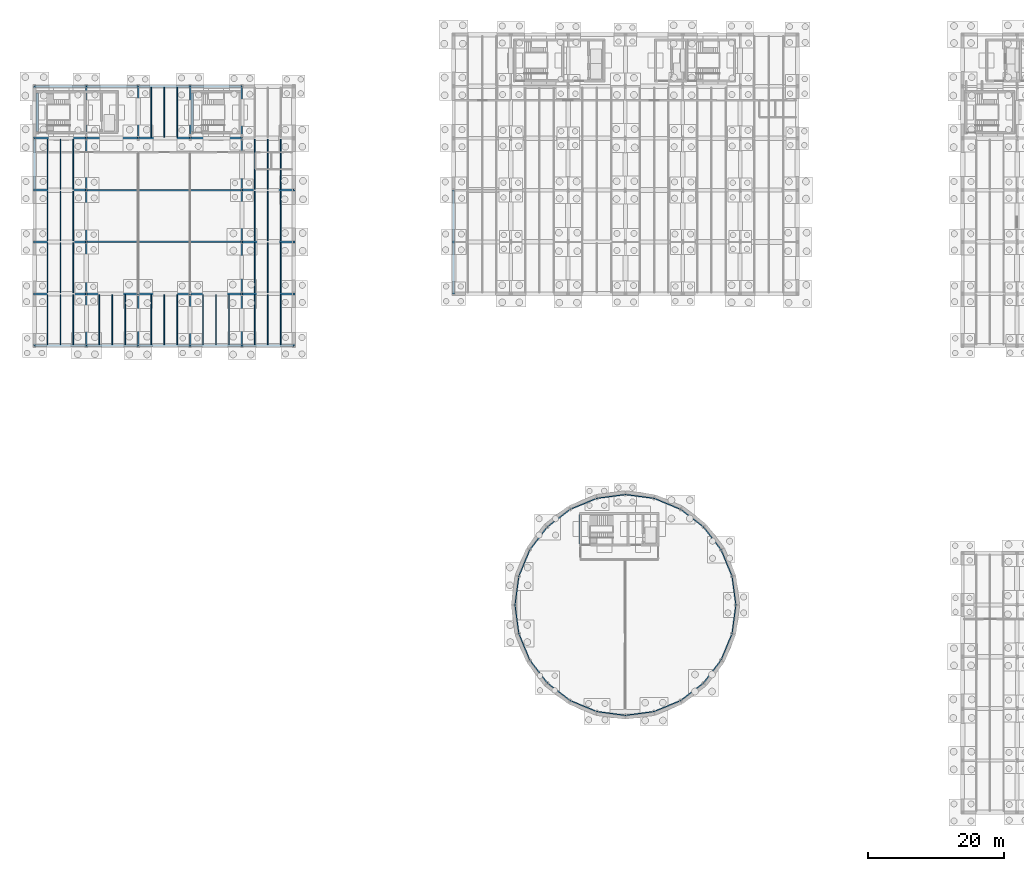
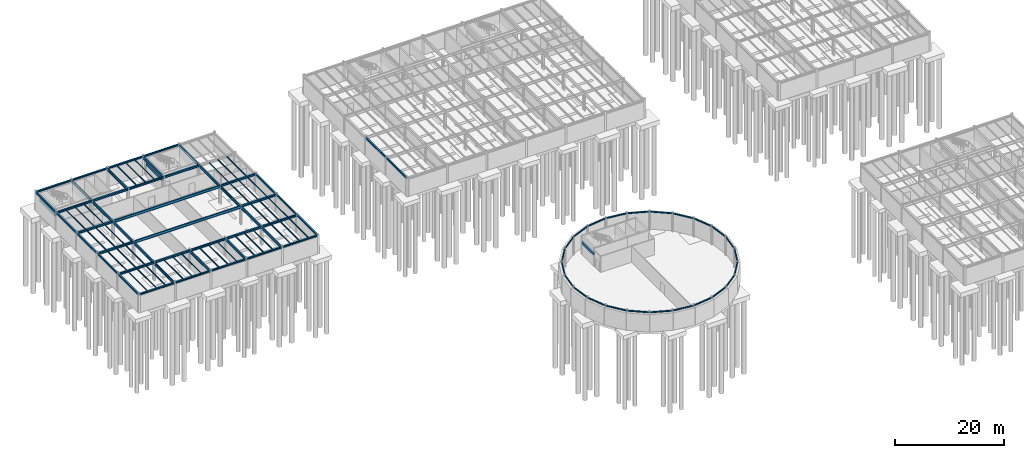
# One storey, part 19 of 33: 111 beams.
"""IFC4 building model written with IfcOpenShell, lengths in metres."""

from ifc_helpers import new_model, si_unit, direction, frame, origin, origin_2d, place, context, subcontext, project, spatial, rectangle, i_section, extrude, material, material_profile, profile_set, type_object, element, save


model = new_model("IFC4")

# Units and contexts
model_context = context("Model", 3, precision=1e-05, world=origin(), true_north=direction((0.0, 1.0)))
body_context = subcontext(model_context, "Body", "Model", "MODEL_VIEW")
ifc_project = project(units=[si_unit("LENGTHUNIT", "METRE"), si_unit("AREAUNIT", "SQUARE_METRE"), si_unit("VOLUMEUNIT", "CUBIC_METRE"), si_unit("PLANEANGLEUNIT", "RADIAN"), si_unit("MASSUNIT", "GRAM", prefix="KILO")], contexts=[model_context])

# Site, building, storey
site_placement = place(None, origin())
site = spatial("IfcSite", under=ifc_project, at=site_placement, CompositionType="ELEMENT")
building_placement = place(site_placement, origin())
building = spatial("IfcBuilding", under=site, at=building_placement, Name="Montecoro Central Library", CompositionType="ELEMENT")
storey_placement = place(building_placement, frame((0.0, 0.0, -4.419921875)))
storey = spatial("IfcBuildingStorey", under=building, at=storey_placement, Name="B1", CompositionType="ELEMENT", Elevation=-4.419921875)

# Beams
ifc_material_1 = material(Name="Steel S355J2", Category="steel")
ifc_material_profile_1 = material_profile(ifc_material_1, i_section(OverallWidth=0.300048828125, OverallDepth=0.43994140625, WebThickness=0.011474609375, FlangeThickness=0.02099609375, at=origin_2d()), Name="HEA 450")
ifc_profile_set_1 = profile_set([ifc_material_profile_1], Name="Steel S355J2")
beam_type_1 = type_object("IfcBeamType", Name="BM-G-HEA450", PredefinedType="USERDEFINED", material=ifc_profile_set_1)
for number, where, z_axis, x_axis, name in (
    (1, (5.0048828125, 81.0, 3.94482421875), (1.0, 0.0, 0.0), (0.0, 1.0, 0.0), "V4-B1-BX-12-L"),
    (2, (12.60498046875, 81.0, 3.94482421875), (1.0, 0.0, 0.0), (0.0, 1.0, 0.0), "V4-B1-BX-23-L"),
):
    element("IfcBeam", number, at=place(storey_placement, frame(where, z_axis=z_axis, x_axis=x_axis)), inside=storey, type_object=beam_type_1, Name=name, ObjectType="GIRDER", PredefinedType="USERDEFINED", context=body_context, shape_type="SweptSolid", body=[
        extrude(i_section(OverallWidth=0.300048828125, OverallDepth=0.43994140625, WebThickness=0.011474609375, FlangeThickness=0.02099609375, at=origin_2d()), origin(), (0.0, 0.0, 1.0), 7.590087890625),
    ])
beam_1_placement = place(storey_placement, frame((20.205078125, 81.0, 3.94482421875), z_axis=(1.0, 0.0, 0.0), x_axis=(0.0, 1.0, 0.0)))
element("IfcBeam", 3, at=beam_1_placement, inside=storey, type_object=beam_type_1, Name="V4-B1-BX-34-L", ObjectType="GIRDER", PredefinedType="USERDEFINED", context=body_context, shape_type="SweptSolid", body=[
    extrude(i_section(OverallWidth=0.300048828125, OverallDepth=0.43994140625, WebThickness=0.011474609375, FlangeThickness=0.02099609375, at=origin_2d()), origin(), (0.0, 0.0, 1.0), 7.58984375),
])
for number, where, z_axis, x_axis, name in (
    (4, (27.804931640625, 81.0, 3.94482421875), (1.0, 0.0, 0.0), (0.0, 1.0, 0.0), "V4-B1-BX-45-L"),
    (5, (35.405029296875, 81.0, 3.94482421875), (1.0, 0.0, 0.0), (0.0, 1.0, 0.0), "V4-B1-BX-56-L"),
    (6, (5.0048828125, 88.60009765625, 3.94482421875), (1.0, 0.0, 0.0), (0.0, 1.0, 0.0), "V4-B1-BX-12-M"),
    (7, (35.405029296875, 88.60009765625, 3.94482421875), (1.0, 0.0, 0.0), (0.0, 1.0, 0.0), "V4-B1-BX-56-M"),
    (8, (5.0048828125, 96.199951171875, 3.94482421875), (1.0, 0.0, 0.0), (0.0, 1.0, 0.0), "V4-B1-BX-12-N"),
    (9, (35.405029296875, 96.199951171875, 3.94482421875), (1.0, 0.0, 0.0), (0.0, 1.0, 0.0), "V4-B1-BX-56-N"),
    (10, (5.0048828125, 103.800048828125, 3.94482421875), (1.0, 0.0, 0.0), (0.0, 1.0, 0.0), "V4-B1-BX-12-P"),
    (11, (12.60498046875, 103.800048828125, 3.94482421875), (1.0, 0.0, 0.0), (0.0, 1.0, 0.0), "V4-B1-BX-23-P"),
):
    element("IfcBeam", number, at=place(storey_placement, frame(where, z_axis=z_axis, x_axis=x_axis)), inside=storey, type_object=beam_type_1, Name=name, ObjectType="GIRDER", PredefinedType="USERDEFINED", context=body_context, shape_type="SweptSolid", body=[
        extrude(i_section(OverallWidth=0.300048828125, OverallDepth=0.43994140625, WebThickness=0.011474609375, FlangeThickness=0.02099609375, at=origin_2d()), origin(), (0.0, 0.0, 1.0), 7.590087890625),
    ])
beam_2_placement = place(storey_placement, frame((20.205078125, 103.800048828125, 3.94482421875), z_axis=(1.0, 0.0, 0.0), x_axis=(0.0, 1.0, 0.0)))
element("IfcBeam", 12, at=beam_2_placement, inside=storey, type_object=beam_type_1, Name="V4-B1-BX-34-P", ObjectType="GIRDER", PredefinedType="USERDEFINED", context=body_context, shape_type="SweptSolid", body=[
    extrude(i_section(OverallWidth=0.300048828125, OverallDepth=0.43994140625, WebThickness=0.011474609375, FlangeThickness=0.02099609375, at=origin_2d()), origin(), (0.0, 0.0, 1.0), 7.58984375),
])
beam_3_placement = place(storey_placement, frame((27.804931640625, 103.800048828125, 3.94482421875), z_axis=(1.0, 0.0, 0.0), x_axis=(0.0, 1.0, 0.0)))
element("IfcBeam", 13, at=beam_3_placement, inside=storey, type_object=beam_type_1, Name="V4-B1-BX-45-P", ObjectType="GIRDER", PredefinedType="USERDEFINED", context=body_context, shape_type="SweptSolid", body=[
    extrude(i_section(OverallWidth=0.300048828125, OverallDepth=0.43994140625, WebThickness=0.011474609375, FlangeThickness=0.02099609375, at=origin_2d()), origin(), (0.0, 0.0, 1.0), 7.590087890625),
])
ifc_material_profile_2 = material_profile(ifc_material_1, i_section(OverallWidth=0.219970703125, OverallDepth=0.60009765625, WebThickness=0.011962890625, FlangeThickness=0.01904296875, at=origin_2d()), Name="IPE 600")
ifc_profile_set_2 = profile_set([ifc_material_profile_2], Name="Steel S355J2")
beam_type_2 = type_object("IfcBeamType", Name="BM-G-IPE600", PredefinedType="USERDEFINED", material=ifc_profile_set_2)
for number, where, z_axis, x_axis, name in (
    (14, (12.60009765625, 73.405029296875, 3.864990234375), (0.0, 1.0, 0.0), (-1.0, 0.0, 0.0), "V4-B1-BY-2-KL"),
    (15, (12.60009765625, 81.0048828125, 3.864990234375), (0.0, 1.0, 0.0), (-1.0, 0.0, 0.0), "V4-B1-BY-2-LM"),
    (16, (12.60009765625, 88.60498046875, 3.864990234375), (0.0, 1.0, 0.0), (-1.0, 0.0, 0.0), "V4-B1-BY-2-MN"),
):
    element("IfcBeam", number, at=place(storey_placement, frame(where, z_axis=z_axis, x_axis=x_axis)), inside=storey, type_object=beam_type_2, Name=name, ObjectType="GIRDER", PredefinedType="USERDEFINED", context=body_context, shape_type="SweptSolid", body=[
        extrude(i_section(OverallWidth=0.219970703125, OverallDepth=0.60009765625, WebThickness=0.011962890625, FlangeThickness=0.01904296875, at=origin_2d()), origin(), (0.0, 0.0, 1.0), 7.590087890625),
    ])
beam_4_placement = place(storey_placement, frame((12.60009765625, 96.205078125, 3.864990234375), z_axis=(0.0, 1.0, 0.0), x_axis=(-1.0, 0.0, 0.0)))
element("IfcBeam", 17, at=beam_4_placement, inside=storey, type_object=beam_type_2, Name="V4-B1-BY-2-NP", ObjectType="GIRDER", PredefinedType="USERDEFINED", context=body_context, shape_type="SweptSolid", body=[
    extrude(i_section(OverallWidth=0.219970703125, OverallDepth=0.60009765625, WebThickness=0.011962890625, FlangeThickness=0.01904296875, at=origin_2d()), origin(), (0.0, 0.0, 1.0), 7.58984375),
])
for number, where, z_axis, x_axis, name in (
    (18, (12.60009765625, 103.804931640625, 3.864990234375), (0.0, 1.0, 0.0), (-1.0, 0.0, 0.0), "V4-B1-BY-2-PQ"),
    (19, (20.199951171875, 73.405029296875, 3.864990234375), (0.0, 1.0, 0.0), (-1.0, 0.0, 0.0), "V4-B1-BY-3-KL"),
    (20, (20.199951171875, 103.804931640625, 3.864990234375), (0.0, 1.0, 0.0), (-1.0, 0.0, 0.0), "V4-B1-BY-3-PQ"),
    (21, (27.800048828125, 73.405029296875, 3.864990234375), (0.0, 1.0, 0.0), (-1.0, 0.0, 0.0), "V4-B1-BY-4-KL"),
    (22, (27.800048828125, 103.804931640625, 3.864990234375), (0.0, 1.0, 0.0), (-1.0, 0.0, 0.0), "V4-B1-BY-4-PQ"),
    (23, (35.39990234375, 73.405029296875, 3.864990234375), (0.0, 1.0, 0.0), (-1.0, 0.0, 0.0), "V4-B1-BY-5-KL"),
    (24, (35.39990234375, 81.0048828125, 3.864990234375), (0.0, 1.0, 0.0), (-1.0, 0.0, 0.0), "V4-B1-BY-5-LM"),
    (25, (35.39990234375, 88.60498046875, 3.864990234375), (0.0, 1.0, 0.0), (-1.0, 0.0, 0.0), "V4-B1-BY-5-MN"),
):
    element("IfcBeam", number, at=place(storey_placement, frame(where, z_axis=z_axis, x_axis=x_axis)), inside=storey, type_object=beam_type_2, Name=name, ObjectType="GIRDER", PredefinedType="USERDEFINED", context=body_context, shape_type="SweptSolid", body=[
        extrude(i_section(OverallWidth=0.219970703125, OverallDepth=0.60009765625, WebThickness=0.011962890625, FlangeThickness=0.01904296875, at=origin_2d()), origin(), (0.0, 0.0, 1.0), 7.590087890625),
    ])
beam_5_placement = place(storey_placement, frame((35.39990234375, 96.205078125, 3.864990234375), z_axis=(0.0, 1.0, 0.0), x_axis=(-1.0, 0.0, 0.0)))
element("IfcBeam", 26, at=beam_5_placement, inside=storey, type_object=beam_type_2, Name="V4-B1-BY-5-NP", ObjectType="GIRDER", PredefinedType="USERDEFINED", context=body_context, shape_type="SweptSolid", body=[
    extrude(i_section(OverallWidth=0.219970703125, OverallDepth=0.60009765625, WebThickness=0.011962890625, FlangeThickness=0.01904296875, at=origin_2d()), origin(), (0.0, 0.0, 1.0), 7.58984375),
])
beam_6_placement = place(storey_placement, frame((35.39990234375, 103.804931640625, 3.864990234375), z_axis=(0.0, 1.0, 0.0), x_axis=(-1.0, 0.0, 0.0)))
element("IfcBeam", 27, at=beam_6_placement, inside=storey, type_object=beam_type_2, Name="V4-B1-BY-5-PQ", ObjectType="GIRDER", PredefinedType="USERDEFINED", context=body_context, shape_type="SweptSolid", body=[
    extrude(i_section(OverallWidth=0.219970703125, OverallDepth=0.60009765625, WebThickness=0.011962890625, FlangeThickness=0.01904296875, at=origin_2d()), origin(), (0.0, 0.0, 1.0), 7.590087890625),
])
for number, where, z_axis, x_axis, name in (
    (28, (12.60498046875, 88.60009765625, 3.864990234375), (1.0, 0.0, 0.0), (0.0, 1.0, 0.0), "V4-B1-AUDG-M"),
    (29, (12.60498046875, 96.199951171875, 3.864990234375), (1.0, 0.0, 0.0), (0.0, 1.0, 0.0), "V4-B1-AUDG-N"),
):
    element("IfcBeam", number, at=place(storey_placement, frame(where, z_axis=z_axis, x_axis=x_axis)), inside=storey, type_object=beam_type_2, Name=name, ObjectType="GIRDER", PredefinedType="USERDEFINED", context=body_context, shape_type="SweptSolid", body=[
        extrude(i_section(OverallWidth=0.219970703125, OverallDepth=0.60009765625, WebThickness=0.011962890625, FlangeThickness=0.01904296875, at=origin_2d()), origin(), (0.0, 0.0, 1.0), 22.7900390625),
    ])
ifc_material_2 = material(Name="Steel S355", Category="steel")
ifc_material_profile_3 = material_profile(ifc_material_2, i_section(OverallWidth=0.1201171875, OverallDepth=0.239990234375, WebThickness=0.006103515625, FlangeThickness=0.009765625, at=origin_2d()), Name="IPE 240")
ifc_profile_set_3 = profile_set([ifc_material_profile_3], Name="Steel S355")
beam_type_3 = type_object("IfcBeamType", Name="BM-J-IPE240", PredefinedType="JOIST", material=ifc_profile_set_3)
for number, where, z_axis, x_axis, name in (
    (30, (6.89990234375, 73.547119140625, 4.044921875), (0.0, 1.0, 0.0), (-1.0, 0.0, 0.0), "V4-B1-JS-12-KL-1"),
    (31, (8.800048828125, 73.547119140625, 4.044921875), (0.0, 1.0, 0.0), (-1.0, 0.0, 0.0), "V4-B1-JS-12-KL-2"),
    (32, (10.699951171875, 73.547119140625, 4.044921875), (0.0, 1.0, 0.0), (-1.0, 0.0, 0.0), "V4-B1-JS-12-KL-3"),
    (33, (6.89990234375, 81.14697265625, 4.044921875), (0.0, 1.0, 0.0), (-1.0, 0.0, 0.0), "V4-B1-JS-12-LM-1"),
    (34, (8.800048828125, 81.14697265625, 4.044921875), (0.0, 1.0, 0.0), (-1.0, 0.0, 0.0), "V4-B1-JS-12-LM-2"),
    (35, (10.699951171875, 81.14697265625, 4.044921875), (0.0, 1.0, 0.0), (-1.0, 0.0, 0.0), "V4-B1-JS-12-LM-3"),
    (36, (6.89990234375, 88.7470703125, 4.044921875), (0.0, 1.0, 0.0), (-1.0, 0.0, 0.0), "V4-B1-JS-12-MN-1"),
    (37, (8.800048828125, 88.7470703125, 4.044921875), (0.0, 1.0, 0.0), (-1.0, 0.0, 0.0), "V4-B1-JS-12-MN-2"),
    (38, (10.699951171875, 88.7470703125, 4.044921875), (0.0, 1.0, 0.0), (-1.0, 0.0, 0.0), "V4-B1-JS-12-MN-3"),
):
    element("IfcBeam", number, at=place(storey_placement, frame(where, z_axis=z_axis, x_axis=x_axis)), inside=storey, type_object=beam_type_3, Name=name, PredefinedType="JOIST", context=body_context, shape_type="SweptSolid", body=[
        extrude(i_section(OverallWidth=0.1201171875, OverallDepth=0.239990234375, WebThickness=0.006103515625, FlangeThickness=0.009765625, at=origin_2d()), origin(), (0.0, 0.0, 1.0), 7.305908203125),
    ])
for number, where, z_axis, x_axis, name in (
    (39, (6.89990234375, 96.346923828125, 4.044921875), (0.0, 1.0, 0.0), (-1.0, 0.0, 0.0), "V4-B1-JS-12-NP-1"),
    (40, (8.800048828125, 96.346923828125, 4.044921875), (0.0, 1.0, 0.0), (-1.0, 0.0, 0.0), "V4-B1-JS-12-NP-2"),
    (41, (10.699951171875, 96.346923828125, 4.044921875), (0.0, 1.0, 0.0), (-1.0, 0.0, 0.0), "V4-B1-JS-12-NP-3"),
):
    element("IfcBeam", number, at=place(storey_placement, frame(where, z_axis=z_axis, x_axis=x_axis)), inside=storey, type_object=beam_type_3, Name=name, PredefinedType="JOIST", context=body_context, shape_type="SweptSolid", body=[
        extrude(i_section(OverallWidth=0.1201171875, OverallDepth=0.239990234375, WebThickness=0.006103515625, FlangeThickness=0.009765625, at=origin_2d()), origin(), (0.0, 0.0, 1.0), 7.30615234375),
    ])
for number, where, z_axis, x_axis, name in (
    (42, (14.5, 73.547119140625, 4.044921875), (0.0, 1.0, 0.0), (-1.0, 0.0, 0.0), "V4-B1-JS-23-KL-1"),
    (43, (16.39990234375, 73.547119140625, 4.044921875), (0.0, 1.0, 0.0), (-1.0, 0.0, 0.0), "V4-B1-JS-23-KL-2"),
    (44, (18.300048828125, 73.547119140625, 4.044921875), (0.0, 1.0, 0.0), (-1.0, 0.0, 0.0), "V4-B1-JS-23-KL-3"),
    (45, (22.10009765625, 73.547119140625, 4.044921875), (0.0, 1.0, 0.0), (-1.0, 0.0, 0.0), "V4-B1-JS-34-KL-1"),
    (46, (24.0, 73.547119140625, 4.044921875), (0.0, 1.0, 0.0), (-1.0, 0.0, 0.0), "V4-B1-JS-34-KL-2"),
    (47, (25.89990234375, 73.547119140625, 4.044921875), (0.0, 1.0, 0.0), (-1.0, 0.0, 0.0), "V4-B1-JS-34-KL-3"),
    (48, (22.10009765625, 103.947021484375, 4.044921875), (0.0, 1.0, 0.0), (-1.0, 0.0, 0.0), "V4-B1-JS-34-PQ-1"),
    (49, (24.0, 103.947021484375, 4.044921875), (0.0, 1.0, 0.0), (-1.0, 0.0, 0.0), "V4-B1-JS-34-PQ-2"),
    (50, (25.89990234375, 103.947021484375, 4.044921875), (0.0, 1.0, 0.0), (-1.0, 0.0, 0.0), "V4-B1-JS-34-PQ-3"),
    (51, (29.699951171875, 73.547119140625, 4.044921875), (0.0, 1.0, 0.0), (-1.0, 0.0, 0.0), "V4-B1-JS-45-KL-1"),
    (52, (31.60009765625, 73.547119140625, 4.044921875), (0.0, 1.0, 0.0), (-1.0, 0.0, 0.0), "V4-B1-JS-45-KL-2"),
    (53, (33.5, 73.547119140625, 4.044921875), (0.0, 1.0, 0.0), (-1.0, 0.0, 0.0), "V4-B1-JS-45-KL-3"),
    (54, (37.300048828125, 73.547119140625, 4.044921875), (0.0, 1.0, 0.0), (-1.0, 0.0, 0.0), "V4-B1-JS-56-KL-1"),
    (55, (39.199951171875, 73.547119140625, 4.044921875), (0.0, 1.0, 0.0), (-1.0, 0.0, 0.0), "V4-B1-JS-56-KL-2"),
    (56, (41.10009765625, 73.547119140625, 4.044921875), (0.0, 1.0, 0.0), (-1.0, 0.0, 0.0), "V4-B1-JS-56-KL-3"),
    (57, (37.300048828125, 81.14697265625, 4.044921875), (0.0, 1.0, 0.0), (-1.0, 0.0, 0.0), "V4-B1-JS-56-LM-1"),
    (58, (39.199951171875, 81.14697265625, 4.044921875), (0.0, 1.0, 0.0), (-1.0, 0.0, 0.0), "V4-B1-JS-56-LM-2"),
    (59, (41.10009765625, 81.14697265625, 4.044921875), (0.0, 1.0, 0.0), (-1.0, 0.0, 0.0), "V4-B1-JS-56-LM-3"),
    (60, (37.300048828125, 88.7470703125, 4.044921875), (0.0, 1.0, 0.0), (-1.0, 0.0, 0.0), "V4-B1-JS-56-MN-1"),
    (61, (39.199951171875, 88.7470703125, 4.044921875), (0.0, 1.0, 0.0), (-1.0, 0.0, 0.0), "V4-B1-JS-56-MN-2"),
    (62, (41.10009765625, 88.7470703125, 4.044921875), (0.0, 1.0, 0.0), (-1.0, 0.0, 0.0), "V4-B1-JS-56-MN-3"),
):
    element("IfcBeam", number, at=place(storey_placement, frame(where, z_axis=z_axis, x_axis=x_axis)), inside=storey, type_object=beam_type_3, Name=name, PredefinedType="JOIST", context=body_context, shape_type="SweptSolid", body=[
        extrude(i_section(OverallWidth=0.1201171875, OverallDepth=0.239990234375, WebThickness=0.006103515625, FlangeThickness=0.009765625, at=origin_2d()), origin(), (0.0, 0.0, 1.0), 7.305908203125),
    ])
for number, where, z_axis, x_axis, name in (
    (63, (37.300048828125, 96.346923828125, 4.044921875), (0.0, 1.0, 0.0), (-1.0, 0.0, 0.0), "V4-B1-JS-56-NP-1"),
    (64, (39.199951171875, 96.346923828125, 4.044921875), (0.0, 1.0, 0.0), (-1.0, 0.0, 0.0), "V4-B1-JS-56-NP-2"),
    (65, (41.10009765625, 96.346923828125, 4.044921875), (0.0, 1.0, 0.0), (-1.0, 0.0, 0.0), "V4-B1-JS-56-NP-3"),
):
    element("IfcBeam", number, at=place(storey_placement, frame(where, z_axis=z_axis, x_axis=x_axis)), inside=storey, type_object=beam_type_3, Name=name, PredefinedType="JOIST", context=body_context, shape_type="SweptSolid", body=[
        extrude(i_section(OverallWidth=0.1201171875, OverallDepth=0.239990234375, WebThickness=0.006103515625, FlangeThickness=0.009765625, at=origin_2d()), origin(), (0.0, 0.0, 1.0), 7.30615234375),
    ])
ifc_material_3 = material(Name="Concrete C35/45", Category="concrete")
ifc_material_profile_4 = material_profile(ifc_material_3, rectangle(XDim=0.35009765625, YDim=0.60009765625, at=origin_2d()), Name="RC LNT 600x350")
ifc_profile_set_4 = profile_set([ifc_material_profile_4], Name="Concrete C35/45")
beam_type_4 = type_object("IfcBeamType", Name="BM-LN-RC01", PredefinedType="LINTEL", material=ifc_profile_set_4)
beam_7_placement = place(storey_placement, frame((85.0, 44.35009765625, 2.75), z_axis=(0.0, 1.0, 0.0), x_axis=(-1.0, 0.0, 0.0)))
element("IfcBeam", 66, at=beam_7_placement, inside=storey, type_object=beam_type_4, Name="C1-B1-LNT", PredefinedType="LINTEL", context=body_context, shape_type="SweptSolid", body=[
    extrude(rectangle(XDim=0.35009765625, YDim=0.60009765625, at=origin_2d()), origin(), (0.0, 0.0, 1.0), 4.2998046875),
])
ifc_material_profile_5 = material_profile(ifc_material_3, rectangle(XDim=0.35009765625, YDim=0.550048828125, at=origin_2d()), Name="RC LNT 550x350")
ifc_profile_set_5 = profile_set([ifc_material_profile_5], Name="Concrete C35/45")
beam_type_5 = type_object("IfcBeamType", Name="BM-LN-RC04", PredefinedType="LINTEL", material=ifc_profile_set_5)
beam_8_placement = place(storey_placement, frame((28.10009765625, 104.75, 2.724853515625), z_axis=(0.0, 1.0, 0.0), x_axis=(-1.0, 0.0, 0.0)))
element("IfcBeam", 67, at=beam_8_placement, inside=storey, type_object=beam_type_5, Name="C9-B1-LNT", PredefinedType="LINTEL", context=body_context, shape_type="SweptSolid", body=[
    extrude(rectangle(XDim=0.35009765625, YDim=0.550048828125, at=origin_2d()), origin(), (0.0, 0.0, 1.0), 5.699951171875),
])
ifc_material_profile_6 = material_profile(ifc_material_3, rectangle(XDim=0.3798828125, YDim=0.6201171875, at=origin_2d()), Name="RC LNT 620x380")
ifc_profile_set_6 = profile_set([ifc_material_profile_6], Name="Concrete C35/45")
beam_type_6 = type_object("IfcBeamType", Name="BM-LN-RC05", PredefinedType="LINTEL", material=ifc_profile_set_6)
beam_9_placement = place(storey_placement, frame((5.419921875, 104.75, 2.760009765625), z_axis=(0.0, 1.0, 0.0), x_axis=(-1.0, 0.0, 0.0)))
element("IfcBeam", 68, at=beam_9_placement, inside=storey, type_object=beam_type_6, Name="C5-B1-LNT", PredefinedType="LINTEL", context=body_context, shape_type="SweptSolid", body=[
    extrude(rectangle(XDim=0.3798828125, YDim=0.6201171875, at=origin_2d()), origin(), (0.0, 0.0, 1.0), 5.699951171875),
])
ifc_material_profile_7 = material_profile(ifc_material_2, i_section(OverallWidth=0.300048828125, OverallDepth=0.330078125, WebThickness=0.009521484375, FlangeThickness=0.0166015625, at=origin_2d()), Name="HEA 340")
ifc_profile_set_7 = profile_set([ifc_material_profile_7], Name="Steel S355")
beam_type_7 = type_object("IfcBeamType", Name="BM-SP-HEA340", PredefinedType="SPANDREL", material=ifc_profile_set_7)
for number, where, z_axis, x_axis, name in (
    (69, (66.39990234375, 81.0048828125, 4.0), (0.0, 1.0, 0.0), (-1.0, 0.0, 0.0), "V2-B1-BY-9-LM"),
    (70, (66.39990234375, 88.60498046875, 4.0), (0.0, 1.0, 0.0), (-1.0, 0.0, 0.0), "V2-B1-BY-9-MN"),
    (71, (5.0048828125, 73.39990234375, 4.0), (1.0, 0.0, 0.0), (0.0, 1.0, 0.0), "V4-B1-BX-12-K"),
    (72, (12.60498046875, 73.39990234375, 4.0), (1.0, 0.0, 0.0), (0.0, 1.0, 0.0), "V4-B1-BX-23-K"),
):
    element("IfcBeam", number, at=place(storey_placement, frame(where, z_axis=z_axis, x_axis=x_axis)), inside=storey, type_object=beam_type_7, Name=name, PredefinedType="SPANDREL", context=body_context, shape_type="SweptSolid", body=[
        extrude(i_section(OverallWidth=0.300048828125, OverallDepth=0.330078125, WebThickness=0.009521484375, FlangeThickness=0.0166015625, at=origin_2d()), origin(), (0.0, 0.0, 1.0), 7.590087890625),
    ])
beam_10_placement = place(storey_placement, frame((20.205078125, 73.39990234375, 4.0), z_axis=(1.0, 0.0, 0.0), x_axis=(0.0, 1.0, 0.0)))
element("IfcBeam", 73, at=beam_10_placement, inside=storey, type_object=beam_type_7, Name="V4-B1-BX-34-K", PredefinedType="SPANDREL", context=body_context, shape_type="SweptSolid", body=[
    extrude(i_section(OverallWidth=0.300048828125, OverallDepth=0.330078125, WebThickness=0.009521484375, FlangeThickness=0.0166015625, at=origin_2d()), origin(), (0.0, 0.0, 1.0), 7.58984375),
])
for number, where, z_axis, x_axis, name in (
    (74, (27.804931640625, 73.39990234375, 4.0), (1.0, 0.0, 0.0), (0.0, 1.0, 0.0), "V4-B1-BX-45-K"),
    (75, (35.405029296875, 73.39990234375, 4.0), (1.0, 0.0, 0.0), (0.0, 1.0, 0.0), "V4-B1-BX-56-K"),
    (76, (5.0048828125, 111.39990234375, 4.0), (1.0, 0.0, 0.0), (0.0, 1.0, 0.0), "V4-B1-BX-12-Q"),
    (77, (12.60498046875, 111.39990234375, 4.0), (1.0, 0.0, 0.0), (0.0, 1.0, 0.0), "V4-B1-BX-23-Q"),
):
    element("IfcBeam", number, at=place(storey_placement, frame(where, z_axis=z_axis, x_axis=x_axis)), inside=storey, type_object=beam_type_7, Name=name, PredefinedType="SPANDREL", context=body_context, shape_type="SweptSolid", body=[
        extrude(i_section(OverallWidth=0.300048828125, OverallDepth=0.330078125, WebThickness=0.009521484375, FlangeThickness=0.0166015625, at=origin_2d()), origin(), (0.0, 0.0, 1.0), 7.590087890625),
    ])
beam_11_placement = place(storey_placement, frame((20.205078125, 111.39990234375, 4.0), z_axis=(1.0, 0.0, 0.0), x_axis=(0.0, 1.0, 0.0)))
element("IfcBeam", 78, at=beam_11_placement, inside=storey, type_object=beam_type_7, Name="V4-B1-BX-34-Q", PredefinedType="SPANDREL", context=body_context, shape_type="SweptSolid", body=[
    extrude(i_section(OverallWidth=0.300048828125, OverallDepth=0.330078125, WebThickness=0.009521484375, FlangeThickness=0.0166015625, at=origin_2d()), origin(), (0.0, 0.0, 1.0), 7.58984375),
])
for number, where, z_axis, x_axis, name in (
    (79, (27.804931640625, 111.39990234375, 4.0), (1.0, 0.0, 0.0), (0.0, 1.0, 0.0), "V4-B1-BX-45-Q"),
    (80, (5.0, 73.405029296875, 4.0), (0.0, 1.0, 0.0), (-1.0, 0.0, 0.0), "V4-B1-BY-1-KL"),
    (81, (5.0, 81.0048828125, 4.0), (0.0, 1.0, 0.0), (-1.0, 0.0, 0.0), "V4-B1-BY-1-LM"),
    (82, (5.0, 88.60498046875, 4.0), (0.0, 1.0, 0.0), (-1.0, 0.0, 0.0), "V4-B1-BY-1-MN"),
):
    element("IfcBeam", number, at=place(storey_placement, frame(where, z_axis=z_axis, x_axis=x_axis)), inside=storey, type_object=beam_type_7, Name=name, PredefinedType="SPANDREL", context=body_context, shape_type="SweptSolid", body=[
        extrude(i_section(OverallWidth=0.300048828125, OverallDepth=0.330078125, WebThickness=0.009521484375, FlangeThickness=0.0166015625, at=origin_2d()), origin(), (0.0, 0.0, 1.0), 7.590087890625),
    ])
beam_12_placement = place(storey_placement, frame((5.0, 96.205078125, 4.0), z_axis=(0.0, 1.0, 0.0), x_axis=(-1.0, 0.0, 0.0)))
element("IfcBeam", 83, at=beam_12_placement, inside=storey, type_object=beam_type_7, Name="V4-B1-BY-1-NP", PredefinedType="SPANDREL", context=body_context, shape_type="SweptSolid", body=[
    extrude(i_section(OverallWidth=0.300048828125, OverallDepth=0.330078125, WebThickness=0.009521484375, FlangeThickness=0.0166015625, at=origin_2d()), origin(), (0.0, 0.0, 1.0), 7.58984375),
])
for number, where, z_axis, x_axis, name in (
    (84, (5.0, 103.804931640625, 4.0), (0.0, 1.0, 0.0), (-1.0, 0.0, 0.0), "V4-B1-BY-1-PQ"),
    (85, (43.0, 73.405029296875, 4.0), (0.0, 1.0, 0.0), (-1.0, 0.0, 0.0), "V4-B1-BY-6-KL"),
    (86, (43.0, 81.0048828125, 4.0), (0.0, 1.0, 0.0), (-1.0, 0.0, 0.0), "V4-B1-BY-6-LM"),
    (87, (43.0, 88.60498046875, 4.0), (0.0, 1.0, 0.0), (-1.0, 0.0, 0.0), "V4-B1-BY-6-MN"),
):
    element("IfcBeam", number, at=place(storey_placement, frame(where, z_axis=z_axis, x_axis=x_axis)), inside=storey, type_object=beam_type_7, Name=name, PredefinedType="SPANDREL", context=body_context, shape_type="SweptSolid", body=[
        extrude(i_section(OverallWidth=0.300048828125, OverallDepth=0.330078125, WebThickness=0.009521484375, FlangeThickness=0.0166015625, at=origin_2d()), origin(), (0.0, 0.0, 1.0), 7.590087890625),
    ])
ifc_material_profile_8 = material_profile(ifc_material_2, i_section(OverallWidth=0.14990234375, OverallDepth=0.300048828125, WebThickness=0.007080078125, FlangeThickness=0.0107421875, at=origin_2d()), Name="IPE 300")
ifc_profile_set_8 = profile_set([ifc_material_profile_8], Name="Steel S355")
beam_type_8 = type_object("IfcBeamType", Name="BM-SP-IPE300", PredefinedType="SPANDREL", material=ifc_profile_set_8)
for number, where, z_axis, x_axis, name in (
    (88, (107.779052734375, 35.409912109375, 4.044921875), (-0.130607740177, 0.99143412197, 0.0), (-0.99143412197, -0.130607740177, 0.0), "V1-B1-RING-01"),
    (89, (107.22509765625, 39.596923828125, 4.044921875), (-0.382746700319, 0.923853323529, 0.0), (-0.923853323529, -0.382746700319, 0.0), "V1-B1-RING-02"),
):
    element("IfcBeam", number, at=place(storey_placement, frame(where, z_axis=z_axis, x_axis=x_axis)), inside=storey, type_object=beam_type_8, Name=name, PredefinedType="SPANDREL", context=body_context, shape_type="SweptSolid", body=[
        extrude(i_section(OverallWidth=0.14990234375, OverallDepth=0.300048828125, WebThickness=0.007080078125, FlangeThickness=0.0107421875, at=origin_2d()), origin(), (0.0, 0.0, 1.0), 4.2041015625),
    ])
for number, where, z_axis, x_axis, name in (
    (90, (105.60595703125, 43.498046875, 4.044921875), (-0.608736327249, 0.793372600918, 0.0), (-0.793372600918, -0.608736327249, 0.0), "V1-B1-RING-03"),
    (91, (103.032958984375, 46.846923828125, 4.044921875), (-0.793344551064, 0.608772883181, 0.0), (-0.608772883181, -0.793344551064, 0.0), "V1-B1-RING-04"),
):
    element("IfcBeam", number, at=place(storey_placement, frame(where, z_axis=z_axis, x_axis=x_axis)), inside=storey, type_object=beam_type_8, Name=name, PredefinedType="SPANDREL", context=body_context, shape_type="SweptSolid", body=[
        extrude(i_section(OverallWidth=0.14990234375, OverallDepth=0.300048828125, WebThickness=0.007080078125, FlangeThickness=0.0107421875, at=origin_2d()), origin(), (0.0, 0.0, 1.0), 4.20361328125),
    ])
beam_13_placement = place(storey_placement, frame((99.680908203125, 49.416015625, 4.044921875), z_axis=(-0.923865350906, 0.382717667995, 0.0), x_axis=(-0.382717667995, -0.923865350906, 0.0)))
element("IfcBeam", 92, at=beam_13_placement, inside=storey, type_object=beam_type_8, Name="V1-B1-RING-05", PredefinedType="SPANDREL", context=body_context, shape_type="SweptSolid", body=[
    extrude(i_section(OverallWidth=0.14990234375, OverallDepth=0.300048828125, WebThickness=0.007080078125, FlangeThickness=0.0107421875, at=origin_2d()), origin(), (0.0, 0.0, 1.0), 4.203857421875),
])
for number, where, z_axis, x_axis, name in (
    (93, (95.778076171875, 51.030029296875, 4.044921875), (-0.99143412197, 0.130607740177, 0.0), (-0.130607740177, -0.99143412197, 0.0), "V1-B1-RING-06"),
    (94, (91.590087890625, 51.5791015625, 4.044921875), (-0.99143412197, -0.130607740177, 0.0), (0.130607740177, -0.99143412197, 0.0), "V1-B1-RING-07"),
    (95, (87.403076171875, 51.02490234375, 4.044921875), (-0.923873856706, -0.382697134684, 0.0), (0.382697134684, -0.923873856706, 0.0), "V1-B1-RING-08"),
):
    element("IfcBeam", number, at=place(storey_placement, frame(where, z_axis=z_axis, x_axis=x_axis)), inside=storey, type_object=beam_type_8, Name=name, PredefinedType="SPANDREL", context=body_context, shape_type="SweptSolid", body=[
        extrude(i_section(OverallWidth=0.14990234375, OverallDepth=0.300048828125, WebThickness=0.007080078125, FlangeThickness=0.0107421875, at=origin_2d()), origin(), (0.0, 0.0, 1.0), 4.2041015625),
    ])
for number, where, z_axis, x_axis, name in (
    (96, (83.501953125, 49.406005859375, 4.044921875), (-0.793344551064, -0.608772883181, 0.0), (0.608772883181, -0.793344551064, 0.0), "V1-B1-RING-09"),
    (97, (80.153076171875, 46.8330078125, 4.044921875), (-0.608772883181, -0.793344551064, 0.0), (0.793344551064, -0.608772883181, 0.0), "V1-B1-RING-10"),
):
    element("IfcBeam", number, at=place(storey_placement, frame(where, z_axis=z_axis, x_axis=x_axis)), inside=storey, type_object=beam_type_8, Name=name, PredefinedType="SPANDREL", context=body_context, shape_type="SweptSolid", body=[
        extrude(i_section(OverallWidth=0.14990234375, OverallDepth=0.300048828125, WebThickness=0.007080078125, FlangeThickness=0.0107421875, at=origin_2d()), origin(), (0.0, 0.0, 1.0), 4.20361328125),
    ])
for number, where, z_axis, x_axis, name in (
    (98, (77.583984375, 43.48095703125, 4.044921875), (-0.382697134684, -0.923873856706, 0.0), (0.923873856706, -0.382697134684, 0.0), "V1-B1-RING-11"),
    (99, (75.969970703125, 39.577880859375, 4.044921875), (-0.130607740177, -0.99143412197, 0.0), (0.99143412197, -0.130607740177, 0.0), "V1-B1-RING-12"),
    (100, (75.4208984375, 35.389892578125, 4.044921875), (0.130607740177, -0.99143412197, 0.0), (0.99143412197, 0.130607740177, 0.0), "V1-B1-RING-13"),
):
    element("IfcBeam", number, at=place(storey_placement, frame(where, z_axis=z_axis, x_axis=x_axis)), inside=storey, type_object=beam_type_8, Name=name, PredefinedType="SPANDREL", context=body_context, shape_type="SweptSolid", body=[
        extrude(i_section(OverallWidth=0.14990234375, OverallDepth=0.300048828125, WebThickness=0.007080078125, FlangeThickness=0.0107421875, at=origin_2d()), origin(), (0.0, 0.0, 1.0), 4.2041015625),
    ])
beam_14_placement = place(storey_placement, frame((75.97509765625, 31.202880859375, 4.044921875), z_axis=(0.382717667995, -0.923865350906, 0.0), x_axis=(0.923865350906, 0.382717667995, 0.0)))
element("IfcBeam", 101, at=beam_14_placement, inside=storey, type_object=beam_type_8, Name="V1-B1-RING-14", PredefinedType="SPANDREL", context=body_context, shape_type="SweptSolid", body=[
    extrude(i_section(OverallWidth=0.14990234375, OverallDepth=0.300048828125, WebThickness=0.007080078125, FlangeThickness=0.0107421875, at=origin_2d()), origin(), (0.0, 0.0, 1.0), 4.203857421875),
])
for number, where, z_axis, x_axis, name in (
    (102, (77.593994140625, 27.302001953125, 4.044921875), (0.608772883181, -0.793344551064, 0.0), (0.793344551064, 0.608772883181, 0.0), "V1-B1-RING-15"),
    (103, (80.1669921875, 23.952880859375, 4.044921875), (0.793372600918, -0.608736327249, 0.0), (0.608736327249, 0.793372600918, 0.0), "V1-B1-RING-16"),
):
    element("IfcBeam", number, at=place(storey_placement, frame(where, z_axis=z_axis, x_axis=x_axis)), inside=storey, type_object=beam_type_8, Name=name, PredefinedType="SPANDREL", context=body_context, shape_type="SweptSolid", body=[
        extrude(i_section(OverallWidth=0.14990234375, OverallDepth=0.300048828125, WebThickness=0.007080078125, FlangeThickness=0.0107421875, at=origin_2d()), origin(), (0.0, 0.0, 1.0), 4.20361328125),
    ])
for number, where, z_axis, x_axis, name in (
    (104, (83.51904296875, 21.384033203125, 4.044921875), (0.923853323529, -0.382746700319, 0.0), (0.382746700319, 0.923853323529, 0.0), "V1-B1-RING-17"),
    (105, (87.422119140625, 19.77001953125, 4.044921875), (0.99143412197, -0.130607740177, 0.0), (0.130607740177, 0.99143412197, 0.0), "V1-B1-RING-18"),
    (106, (91.610107421875, 19.220947265625, 4.044921875), (0.99143412197, 0.130607740177, 0.0), (-0.130607740177, 0.99143412197, 0.0), "V1-B1-RING-19"),
):
    element("IfcBeam", number, at=place(storey_placement, frame(where, z_axis=z_axis, x_axis=x_axis)), inside=storey, type_object=beam_type_8, Name=name, PredefinedType="SPANDREL", context=body_context, shape_type="SweptSolid", body=[
        extrude(i_section(OverallWidth=0.14990234375, OverallDepth=0.300048828125, WebThickness=0.007080078125, FlangeThickness=0.0107421875, at=origin_2d()), origin(), (0.0, 0.0, 1.0), 4.2041015625),
    ])
beam_15_placement = place(storey_placement, frame((95.797119140625, 19.77490234375, 4.044921875), z_axis=(0.923844815714, 0.382767235377, 0.0), x_axis=(-0.382767235377, 0.923844815714, 0.0)))
element("IfcBeam", 107, at=beam_15_placement, inside=storey, type_object=beam_type_8, Name="V1-B1-RING-20", PredefinedType="SPANDREL", context=body_context, shape_type="SweptSolid", body=[
    extrude(i_section(OverallWidth=0.14990234375, OverallDepth=0.300048828125, WebThickness=0.007080078125, FlangeThickness=0.0107421875, at=origin_2d()), origin(), (0.0, 0.0, 1.0), 4.203857421875),
])
for number, where, z_axis, x_axis, name in (
    (108, (99.697998046875, 21.39404296875, 4.044921875), (0.793372600918, 0.608736327249, 0.0), (-0.608736327249, 0.793372600918, 0.0), "V1-B1-RING-21"),
    (109, (103.047119140625, 23.967041015625, 4.044921875), (0.608736327249, 0.793372600918, 0.0), (-0.793372600918, 0.608736327249, 0.0), "V1-B1-RING-22"),
):
    element("IfcBeam", number, at=place(storey_placement, frame(where, z_axis=z_axis, x_axis=x_axis)), inside=storey, type_object=beam_type_8, Name=name, PredefinedType="SPANDREL", context=body_context, shape_type="SweptSolid", body=[
        extrude(i_section(OverallWidth=0.14990234375, OverallDepth=0.300048828125, WebThickness=0.007080078125, FlangeThickness=0.0107421875, at=origin_2d()), origin(), (0.0, 0.0, 1.0), 4.20361328125),
    ])
beam_16_placement = place(storey_placement, frame((105.615966796875, 27.319091796875, 4.044921875), z_axis=(0.382767235377, 0.923844815714, 0.0), x_axis=(-0.923844815714, 0.382767235377, 0.0)))
element("IfcBeam", 110, at=beam_16_placement, inside=storey, type_object=beam_type_8, Name="V1-B1-RING-23", PredefinedType="SPANDREL", context=body_context, shape_type="SweptSolid", body=[
    extrude(i_section(OverallWidth=0.14990234375, OverallDepth=0.300048828125, WebThickness=0.007080078125, FlangeThickness=0.0107421875, at=origin_2d()), origin(), (0.0, 0.0, 1.0), 4.203857421875),
])
beam_17_placement = place(storey_placement, frame((107.22998046875, 31.221923828125, 4.044921875), z_axis=(0.130607740177, 0.99143412197, 0.0), x_axis=(-0.99143412197, 0.130607740177, 0.0)))
element("IfcBeam", 111, at=beam_17_placement, inside=storey, type_object=beam_type_8, Name="V1-B1-RING-24", PredefinedType="SPANDREL", context=body_context, shape_type="SweptSolid", body=[
    extrude(i_section(OverallWidth=0.14990234375, OverallDepth=0.300048828125, WebThickness=0.007080078125, FlangeThickness=0.0107421875, at=origin_2d()), origin(), (0.0, 0.0, 1.0), 4.2041015625),
])

save(model, "model.ifc")
